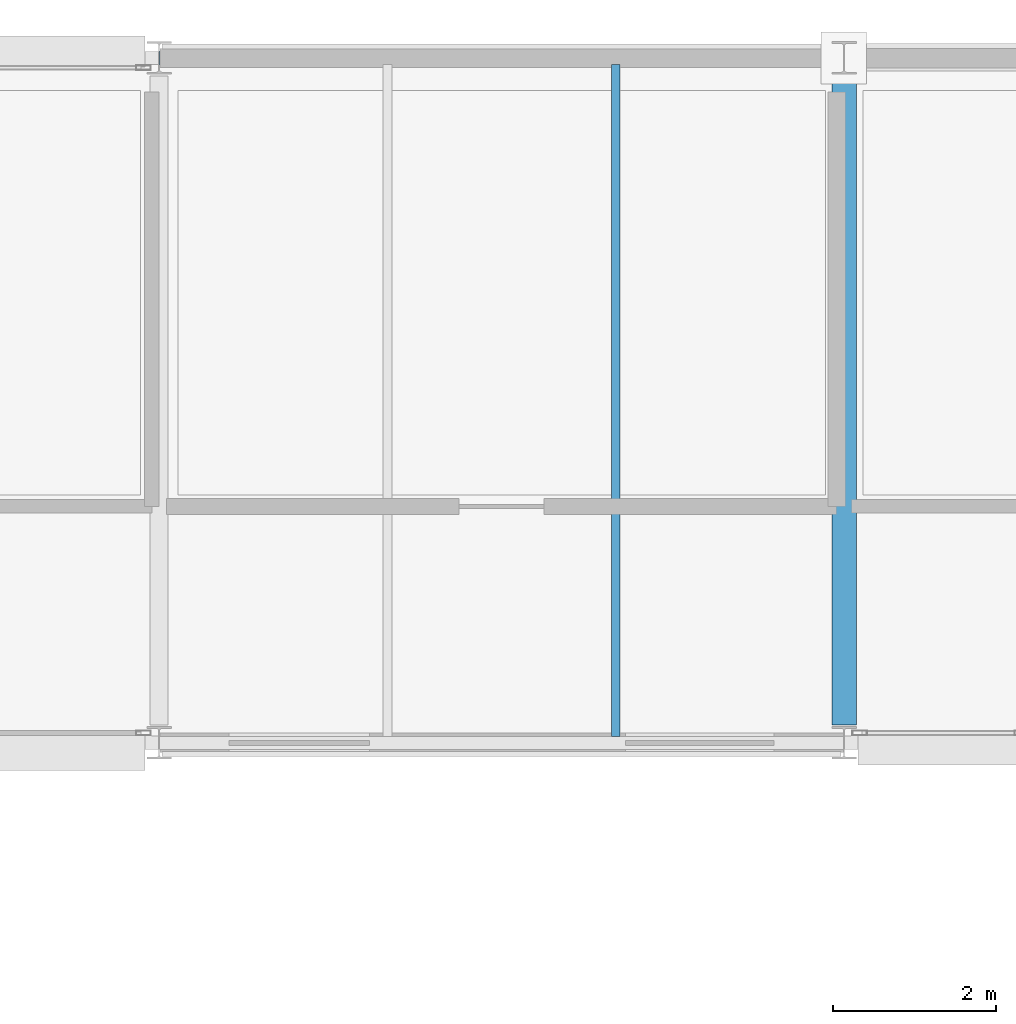
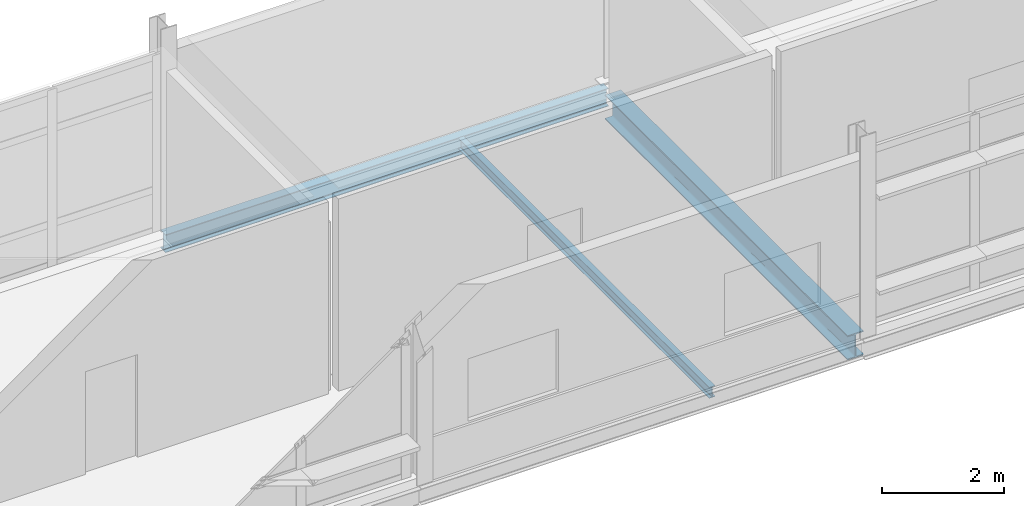
# One storey, part 27 of 66: 3 beams.
"""IFC4 building model written with IfcOpenShell, lengths in metres."""

from ifc_helpers import new_model, si_unit, direction, frame, origin, origin_2d, place, context, subcontext, project, spatial, i_section, extrude, material, material_profile, profile_set, type_object, element, save


model = new_model("IFC4")

# Units and contexts
model_context = context("Model", 3, precision=1e-05, world=origin(), true_north=direction((0.0, 1.0)))
body_context = subcontext(model_context, "Body", "Model", "MODEL_VIEW")
ifc_project = project(units=[si_unit("LENGTHUNIT", "METRE"), si_unit("AREAUNIT", "SQUARE_METRE"), si_unit("VOLUMEUNIT", "CUBIC_METRE"), si_unit("PLANEANGLEUNIT", "RADIAN"), si_unit("MASSUNIT", "GRAM", prefix="KILO")], contexts=[model_context])

# Site, building, storey
site_placement = place(None, origin())
site = spatial("IfcSite", under=ifc_project, at=site_placement, CompositionType="ELEMENT")
building_placement = place(site_placement, origin())
building = spatial("IfcBuilding", under=site, at=building_placement, Name="Mersafa Astral City Hall", CompositionType="ELEMENT")
storey_placement = place(building_placement, frame((0.0, 0.0, 22.050048828125)))
storey = spatial("IfcBuildingStorey", under=building, at=storey_placement, Name="L05", CompositionType="ELEMENT", Elevation=22.050048828125)

# Beams
ifc_material = material(Name="Steel S355", Category="steel")
ifc_material_profile_1 = material_profile(ifc_material, i_section(OverallWidth=0.300048828125, OverallDepth=0.489990234375, WebThickness=0.011962890625, FlangeThickness=0.02294921875, FilletRadius=0.027099609375, at=origin_2d()), Name="HEA 500")
ifc_profile_set_1 = profile_set([ifc_material_profile_1], Name="Steel S355")
beam_type_1 = type_object("IfcBeamType", Name="STR-BM-HEA500", PredefinedType="BEAM", material=ifc_profile_set_1)
beam_1_placement = place(storey_placement, frame((134.39990234375, 117.820068359375, -0.425048828125), z_axis=(0.0, 1.0, 0.0), x_axis=(-1.0, 0.0, 0.0)))
element("IfcBeam", 1, at=beam_1_placement, inside=storey, type_object=beam_type_1, Name="L05 Primary girder Y 16-14", PredefinedType="BEAM", context=body_context, shape_type="SweptSolid", body=[
    extrude(i_section(OverallWidth=0.300048828125, OverallDepth=0.489990234375, WebThickness=0.011962890625, FlangeThickness=0.02294921875, FilletRadius=0.027099609375, at=origin_2d()), origin(), (0.0, 0.0, 1.0), 7.9599609375),
])
ifc_material_profile_2 = material_profile(ifc_material, i_section(OverallWidth=0.110107421875, OverallDepth=0.219970703125, WebThickness=0.005859375, FlangeThickness=0.00927734375, FilletRadius=0.011962890625, at=origin_2d()), Name="IPE 220")
ifc_profile_set_2 = profile_set([ifc_material_profile_2], Name="Steel S355")
beam_type_2 = type_object("IfcBeamType", Name="STR-BM-JOIST-IPE220", PredefinedType="JOIST", material=ifc_profile_set_2)
beam_2_placement = place(storey_placement, frame((131.60009765625, 117.675048828125, -0.2900390625), z_axis=(0.0, 1.0, 0.0), x_axis=(-1.0, 0.0, 0.0)))
element("IfcBeam", 2, at=beam_2_placement, inside=storey, type_object=beam_type_2, Name="L05 Composite secondary floor joist 806", PredefinedType="JOIST", context=body_context, shape_type="SweptSolid", body=[
    extrude(i_section(OverallWidth=0.110107421875, OverallDepth=0.219970703125, WebThickness=0.005859375, FlangeThickness=0.00927734375, FilletRadius=0.011962890625, at=origin_2d()), origin(), (0.0, 0.0, 1.0), 8.244873046875),
])
ifc_material_profile_3 = material_profile(ifc_material, i_section(OverallWidth=0.169921875, OverallDepth=0.360107421875, WebThickness=0.008056640625, FlangeThickness=0.0126953125, FilletRadius=0.01806640625, at=origin_2d()), Name="IPE 360")
ifc_profile_set_3 = profile_set([ifc_material_profile_3], Name="Steel S355")
beam_type_3 = type_object("IfcBeamType", Name="STR-BM-SPANDREL-IPE360", PredefinedType="SPANDREL", material=ifc_profile_set_3)
beam_3_placement = place(storey_placement, frame((126.0029296875, 126.0, -0.360107421875), z_axis=(1.0, 0.0, 0.0), x_axis=(0.0, 1.0, 0.0)))
element("IfcBeam", 3, at=beam_3_placement, inside=storey, type_object=beam_type_3, Name="L05 Primary girder X 15-15", PredefinedType="SPANDREL", context=body_context, shape_type="SweptSolid", body=[
    extrude(i_section(OverallWidth=0.169921875, OverallDepth=0.360107421875, WebThickness=0.008056640625, FlangeThickness=0.0126953125, FilletRadius=0.01806640625, at=origin_2d()), origin(), (0.0, 0.0, 1.0), 8.39404296875),
])

save(model, "model.ifc")
